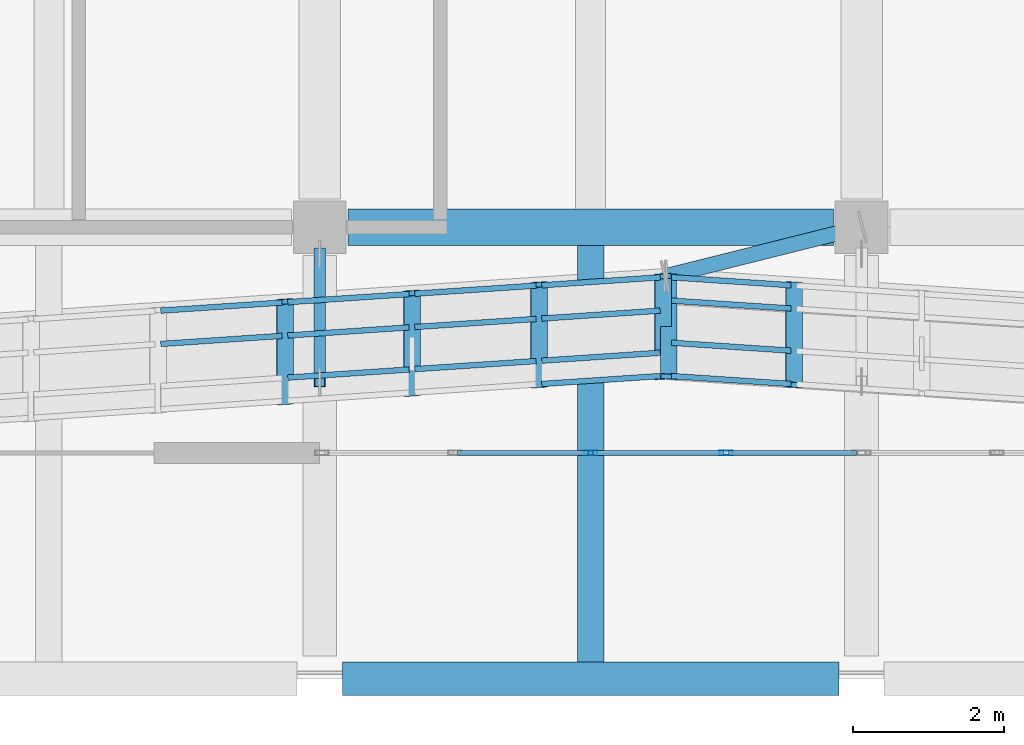
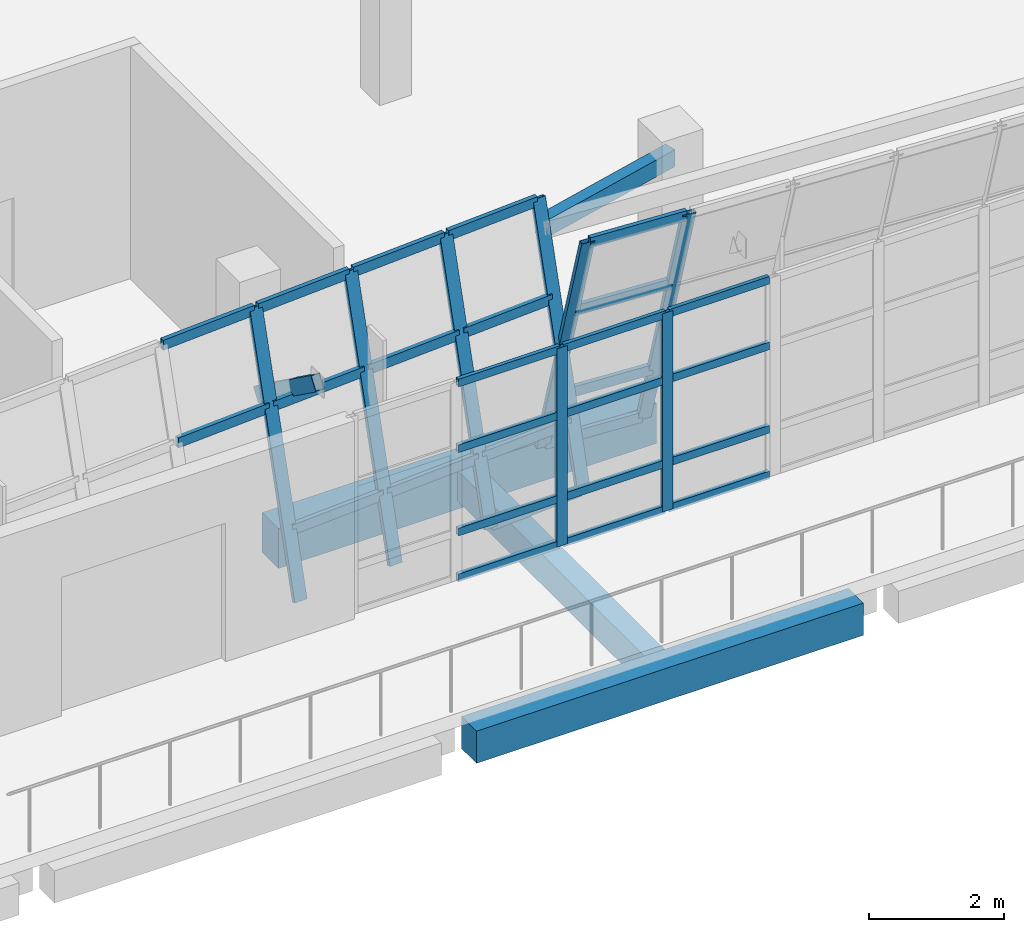
# One storey, part 6 of 67: 37 members, 4 beams, 3 elements without a shape of their own.
"""IFC4 building model written with IfcOpenShell, lengths in metres."""

from ifc_helpers import new_model, si_unit, direction, frame, origin, origin_2d, place, context, subcontext, project, spatial, rectangle, hollow_rectangle, extrude, material, material_profile, profile_set, type_object, element, aggregate, save


model = new_model("IFC4")

# Units and contexts
model_context = context("Model", 3, precision=1e-05, world=origin(), true_north=direction((0.0, 1.0)))
body_context = subcontext(model_context, "Body", "Model", "MODEL_VIEW")
ifc_project = project(units=[si_unit("LENGTHUNIT", "METRE"), si_unit("AREAUNIT", "SQUARE_METRE"), si_unit("VOLUMEUNIT", "CUBIC_METRE"), si_unit("PLANEANGLEUNIT", "RADIAN"), si_unit("MASSUNIT", "GRAM", prefix="KILO")], contexts=[model_context])

# Site, building, storey
site_placement = place(None, origin())
site = spatial("IfcSite", under=ifc_project, at=site_placement, CompositionType="ELEMENT")
building_placement = place(site_placement, origin())
building = spatial("IfcBuilding", under=site, at=building_placement, Name="Pellamere Symphony Hall", CompositionType="ELEMENT")
storey_placement = place(building_placement, frame((0.0, 0.0, 19.5)))
storey = spatial("IfcBuildingStorey", under=building, at=storey_placement, Name="L04", CompositionType="ELEMENT", Elevation=19.5)

# Curtain wall, members
ifc_material_1 = material(Name="Thermally Broken Anodised Aluminium 6063-T6 Curtain Wall", Category="aluminium")
curtain_wall_type_1 = type_object("IfcCurtainWallType", Name="Curtain Wall CW-01 (Tilted Faceted Crystal Low-Iron Curtain Wall)", PredefinedType="NOTDEFINED", material=ifc_material_1)
curtain_wall_1_placement = place(storey_placement, origin())
curtain_wall_1 = element("IfcCurtainWall", 1, at=curtain_wall_1_placement, inside=storey, type_object=curtain_wall_type_1, Name="Crystal Faceted Curtain Wall CW-CR02 (L04)", PredefinedType="NOTDEFINED")
ifc_material_2 = material(Name="Anodised Architectural Aluminium 6063-T6", Category="aluminium")
ifc_material_profile_1 = material_profile(ifc_material_2, hollow_rectangle(XDim=0.074951171875, YDim=0.219970703125, WallThickness=0.0048828125, at=origin_2d()), Name="ALU-M75X220X5")
ifc_profile_set_1 = profile_set([ifc_material_profile_1], Name="Anodised Architectural Aluminium 6063-T6")
member_type_1 = type_object("IfcMemberType", Name="Curtain Wall Mullion ML-01 ALU-M75X220X5", PredefinedType="MULLION", material=ifc_profile_set_1)
member_1_placement = place(storey_placement, frame((72.737548828125, 27.679443359375, 0.0), z_axis=(0.0, 0.284024567884, 0.95881700279), x_axis=(0.066519010519, -0.956693374484, 0.283395498301)))
member_1 = element("IfcMember", 2, at=member_1_placement, type_object=member_type_1, Name="CW1-002 crystal mullion 6", PredefinedType="MULLION", context=body_context, shape_type="SweptSolid", body=[
    extrude(hollow_rectangle(XDim=0.074951171875, YDim=0.219970703125, WallThickness=0.0048828125, at=origin_2d()), origin(), (0.0, 0.0, 1.0), 4.693359375),
])
member_2_placement = place(storey_placement, frame((74.425048828125, 27.7919921875, 0.0), z_axis=(0.0, 0.284024567884, 0.95881700279), x_axis=(0.066519010519, -0.956693374484, 0.283395498301)))
member_2 = element("IfcMember", 3, at=member_2_placement, type_object=member_type_1, Name="CW1-002 crystal mullion 7", PredefinedType="MULLION", context=body_context, shape_type="SweptSolid", body=[
    extrude(hollow_rectangle(XDim=0.074951171875, YDim=0.219970703125, WallThickness=0.0048828125, at=origin_2d()), origin(), (0.0, 0.0, 1.0), 4.693359375),
])
member_3_placement = place(storey_placement, frame((76.112548828125, 27.904541015625, 0.0), z_axis=(0.0, 0.284024567884, 0.95881700279), x_axis=(0.066519010519, -0.956693374484, 0.283395498301)))
member_3 = element("IfcMember", 4, at=member_3_placement, type_object=member_type_1, Name="CW1-002 crystal mullion 8", PredefinedType="MULLION", context=body_context, shape_type="SweptSolid", body=[
    extrude(hollow_rectangle(XDim=0.074951171875, YDim=0.219970703125, WallThickness=0.0048828125, at=origin_2d()), origin(), (0.0, 0.0, 1.0), 4.693359375),
])
member_4_placement = place(storey_placement, frame((77.7626953125, 28.014404296875, 0.0), z_axis=(0.0, 0.284024567884, 0.95881700279), x_axis=(0.066519010519, -0.956693374484, 0.283395498301)))
member_4 = element("IfcMember", 5, at=member_4_placement, type_object=member_type_1, Name="CW1-002 crystal mullion 9", PredefinedType="MULLION", context=body_context, shape_type="SweptSolid", body=[
    extrude(hollow_rectangle(XDim=0.074951171875, YDim=0.219970703125, WallThickness=0.0048828125, at=origin_2d()), origin(), (0.0, 0.0, 1.0), 4.693359375),
])

curtain_wall_2_placement = place(storey_placement, origin())
curtain_wall_2 = element("IfcCurtainWall", 6, at=curtain_wall_2_placement, inside=storey, type_object=curtain_wall_type_1, Name="Crystal Faceted Curtain Wall CW-CR03 (L04)", PredefinedType="NOTDEFINED")
member_5_placement = place(storey_placement, frame((77.83740234375, 29.347412109375, 0.0), z_axis=(0.0, -0.284024567884, 0.95881700279), x_axis=(0.066032040643, 0.956724387709, 0.283404685161)))
member_5 = element("IfcMember", 7, at=member_5_placement, type_object=member_type_1, Name="CW1-003 crystal mullion 1", PredefinedType="MULLION", context=body_context, shape_type="SweptSolid", body=[
    extrude(hollow_rectangle(XDim=0.074951171875, YDim=0.219970703125, WallThickness=0.0048828125, at=origin_2d()), origin(), (0.0, 0.0, 1.0), 4.693359375),
])
member_6_placement = place(storey_placement, frame((79.5, 29.237548828125, 0.0), z_axis=(0.0, -0.284024567884, 0.95881700279), x_axis=(0.066032040643, 0.956724387709, 0.283404685161)))
member_6 = element("IfcMember", 8, at=member_6_placement, type_object=member_type_1, Name="CW1-003 crystal mullion 2", PredefinedType="MULLION", context=body_context, shape_type="SweptSolid", body=[
    extrude(hollow_rectangle(XDim=0.074951171875, YDim=0.219970703125, WallThickness=0.0048828125, at=origin_2d()), origin(), (0.0, 0.0, 1.0), 4.693359375),
])

curtain_wall_type_2 = type_object("IfcCurtainWallType", Name="Curtain Wall CW-06 (Belvedere Terrace Clerestory Curtain Wall)", PredefinedType="NOTDEFINED", material=ifc_material_1)
curtain_wall_3_placement = place(storey_placement, origin())
curtain_wall_3 = element("IfcCurtainWall", 9, at=curtain_wall_3_placement, inside=storey, type_object=curtain_wall_type_2, Name="Winter-Garden South Curtain Wall (L04 Bay 4)", PredefinedType="NOTDEFINED")
ifc_material_profile_2 = material_profile(ifc_material_2, hollow_rectangle(XDim=0.06494140625, YDim=0.179931640625, WallThickness=0.00390625, at=origin_2d()), Name="ALU-M65X180X4")
ifc_profile_set_2 = profile_set([ifc_material_profile_2], Name="Anodised Architectural Aluminium 6063-T6")
member_type_2 = type_object("IfcMemberType", Name="Curtain Wall Mullion ML-02 ALU-M65X180X4", PredefinedType="MULLION", material=ifc_profile_set_2)
member_7_placement = place(storey_placement, frame((76.800048828125, 27.0, 0.0), z_axis=(0.0, 0.0, 1.0), x_axis=(0.0, 1.0, 0.0)))
member_7 = element("IfcMember", 10, at=member_7_placement, type_object=member_type_2, Name="CW2-097 crystal mullion 3", PredefinedType="MULLION", context=body_context, shape_type="SweptSolid", body=[
    extrude(hollow_rectangle(XDim=0.06494140625, YDim=0.179931640625, WallThickness=0.00390625, at=origin_2d()), origin(), (0.0, 0.0, 1.0), 3.577392578125),
])
member_8_placement = place(storey_placement, frame((78.60009765625, 27.0, 0.0), z_axis=(0.0, 0.0, 1.0), x_axis=(0.0, 1.0, 0.0)))
member_8 = element("IfcMember", 11, at=member_8_placement, type_object=member_type_2, Name="CW2-097 crystal mullion 4", PredefinedType="MULLION", context=body_context, shape_type="SweptSolid", body=[
    extrude(hollow_rectangle(XDim=0.06494140625, YDim=0.179931640625, WallThickness=0.00390625, at=origin_2d()), origin(), (0.0, 0.0, 1.0), 3.577392578125),
])

# Member
ifc_material_profile_3 = material_profile(ifc_material_2, hollow_rectangle(XDim=0.074951171875, YDim=0.179931640625, WallThickness=0.0048828125, at=origin_2d()), Name="ALU-T75X180X5")
ifc_profile_set_3 = profile_set([ifc_material_profile_3], Name="Anodised Architectural Aluminium 6063-T6")
member_type_3 = type_object("IfcMemberType", Name="Curtain Wall Transom TR-01 ALU-T75X180X5", PredefinedType="USERDEFINED", material=ifc_profile_set_3)
member_9_placement = place(storey_placement, frame((71.08740234375, 28.44921875, 2.969970703125), z_axis=(0.997779138857, 0.066609234065, 0.0), x_axis=(-0.066609234065, 0.997779138857, 0.0)))
member_9 = element("IfcMember", 12, at=member_9_placement, type_object=member_type_3, Name="CW1-002 crystal transom 5.3", ObjectType="TRANSOM", PredefinedType="USERDEFINED", context=body_context, shape_type="SweptSolid", body=[
    extrude(hollow_rectangle(XDim=0.074951171875, YDim=0.179931640625, WallThickness=0.0048828125, at=origin_2d()), origin(), (0.0, 0.0, 1.0), 1.616455078125),
])

member_10_placement = place(storey_placement, frame((71.08740234375, 28.891845703125, 4.464111328125), z_axis=(0.997789166031, 0.066458860589, 0.0), x_axis=(-0.066458860589, 0.997789166031, 0.0)))
member_10 = element("IfcMember", 13, at=member_10_placement, type_object=member_type_3, Name="CW1-002 crystal transom 5.4", ObjectType="TRANSOM", PredefinedType="USERDEFINED", context=body_context, shape_type="SweptSolid", body=[
    extrude(hollow_rectangle(XDim=0.074951171875, YDim=0.179931640625, WallThickness=0.0048828125, at=origin_2d()), origin(), (0.0, 0.0, 1.0), 1.616455078125),
])

member_11_placement = place(storey_placement, frame((72.77490234375, 28.001953125, 1.080078125), z_axis=(0.997789166031, 0.066458860589, 0.0), x_axis=(-0.066458860589, 0.997789166031, 0.0)))
member_11 = element("IfcMember", 14, at=member_11_placement, type_object=member_type_3, Name="CW1-002 crystal transom 6.2", ObjectType="TRANSOM", PredefinedType="USERDEFINED", context=body_context, shape_type="SweptSolid", body=[
    extrude(hollow_rectangle(XDim=0.074951171875, YDim=0.179931640625, WallThickness=0.0048828125, at=origin_2d()), origin(), (0.0, 0.0, 1.0), 1.616455078125),
])

member_12_placement = place(storey_placement, frame((72.77490234375, 28.561767578125, 2.969970703125), z_axis=(0.997789166031, 0.066458860589, 0.0), x_axis=(-0.066458860589, 0.997789166031, 0.0)))
member_12 = element("IfcMember", 15, at=member_12_placement, type_object=member_type_3, Name="CW1-002 crystal transom 6.3", ObjectType="TRANSOM", PredefinedType="USERDEFINED", context=body_context, shape_type="SweptSolid", body=[
    extrude(hollow_rectangle(XDim=0.074951171875, YDim=0.179931640625, WallThickness=0.0048828125, at=origin_2d()), origin(), (0.0, 0.0, 1.0), 1.616455078125),
])

member_13_placement = place(storey_placement, frame((72.77490234375, 29.00439453125, 4.464111328125), z_axis=(0.997789166031, 0.066458860589, 0.0), x_axis=(-0.066458860589, 0.997789166031, 0.0)))
member_13 = element("IfcMember", 16, at=member_13_placement, type_object=member_type_3, Name="CW1-002 crystal transom 6.4", ObjectType="TRANSOM", PredefinedType="USERDEFINED", context=body_context, shape_type="SweptSolid", body=[
    extrude(hollow_rectangle(XDim=0.074951171875, YDim=0.179931640625, WallThickness=0.0048828125, at=origin_2d()), origin(), (0.0, 0.0, 1.0), 1.616455078125),
])

member_14_placement = place(storey_placement, frame((74.46240234375, 28.114501953125, 1.080078125), z_axis=(0.997789166031, 0.066458860589, 0.0), x_axis=(-0.066458860589, 0.997789166031, 0.0)))
member_14 = element("IfcMember", 17, at=member_14_placement, type_object=member_type_3, Name="CW1-002 crystal transom 7.2", ObjectType="TRANSOM", PredefinedType="USERDEFINED", context=body_context, shape_type="SweptSolid", body=[
    extrude(hollow_rectangle(XDim=0.074951171875, YDim=0.179931640625, WallThickness=0.0048828125, at=origin_2d()), origin(), (0.0, 0.0, 1.0), 1.616455078125),
])

member_15_placement = place(storey_placement, frame((74.46240234375, 28.67431640625, 2.969970703125), z_axis=(0.997789166031, 0.066458860589, 0.0), x_axis=(-0.066458860589, 0.997789166031, 0.0)))
member_15 = element("IfcMember", 18, at=member_15_placement, type_object=member_type_3, Name="CW1-002 crystal transom 7.3", ObjectType="TRANSOM", PredefinedType="USERDEFINED", context=body_context, shape_type="SweptSolid", body=[
    extrude(hollow_rectangle(XDim=0.074951171875, YDim=0.179931640625, WallThickness=0.0048828125, at=origin_2d()), origin(), (0.0, 0.0, 1.0), 1.616455078125),
])

member_16_placement = place(storey_placement, frame((74.46240234375, 29.116943359375, 4.464111328125), z_axis=(0.997789166031, 0.066458860589, 0.0), x_axis=(-0.066458860589, 0.997789166031, 0.0)))
member_16 = element("IfcMember", 19, at=member_16_placement, type_object=member_type_3, Name="CW1-002 crystal transom 7.4", ObjectType="TRANSOM", PredefinedType="USERDEFINED", context=body_context, shape_type="SweptSolid", body=[
    extrude(hollow_rectangle(XDim=0.074951171875, YDim=0.179931640625, WallThickness=0.0048828125, at=origin_2d()), origin(), (0.0, 0.0, 1.0), 1.616455078125),
])

member_17_placement = place(storey_placement, frame((76.14990234375, 27.917724609375, 0.035888671875), z_axis=(0.997786526209, 0.066498482063, 0.0), x_axis=(-0.066498482063, 0.997786526209, 0.0)))
member_17 = element("IfcMember", 20, at=member_17_placement, type_object=member_type_3, Name="CW1-002 crystal transom 8.1", ObjectType="TRANSOM", PredefinedType="USERDEFINED", context=body_context, shape_type="SweptSolid", body=[
    extrude(hollow_rectangle(XDim=0.074951171875, YDim=0.179931640625, WallThickness=0.0048828125, at=origin_2d()), origin(), (0.0, 0.0, 1.0), 1.57861328125),
])

member_18_placement = place(storey_placement, frame((76.14990234375, 28.226806640625, 1.080078125), z_axis=(0.997776253366, 0.06665244346, 0.0), x_axis=(-0.06665244346, 0.997776253366, 0.0)))
member_18 = element("IfcMember", 21, at=member_18_placement, type_object=member_type_3, Name="CW1-002 crystal transom 8.2", ObjectType="TRANSOM", PredefinedType="USERDEFINED", context=body_context, shape_type="SweptSolid", body=[
    extrude(hollow_rectangle(XDim=0.074951171875, YDim=0.179931640625, WallThickness=0.0048828125, at=origin_2d()), origin(), (0.0, 0.0, 1.0), 1.57861328125),
])

member_19_placement = place(storey_placement, frame((76.14990234375, 28.786865234375, 2.969970703125), z_axis=(0.997786526209, 0.066498482063, 0.0), x_axis=(-0.066498482063, 0.997786526209, 0.0)))
member_19 = element("IfcMember", 22, at=member_19_placement, type_object=member_type_3, Name="CW1-002 crystal transom 8.3", ObjectType="TRANSOM", PredefinedType="USERDEFINED", context=body_context, shape_type="SweptSolid", body=[
    extrude(hollow_rectangle(XDim=0.074951171875, YDim=0.179931640625, WallThickness=0.0048828125, at=origin_2d()), origin(), (0.0, 0.0, 1.0), 1.57861328125),
])

member_20_placement = place(storey_placement, frame((76.14990234375, 29.229248046875, 4.464111328125), z_axis=(0.997776253366, 0.06665244346, 0.0), x_axis=(-0.06665244346, 0.997776253366, 0.0)))
member_20 = element("IfcMember", 23, at=member_20_placement, type_object=member_type_3, Name="CW1-002 crystal transom 8.4", ObjectType="TRANSOM", PredefinedType="USERDEFINED", context=body_context, shape_type="SweptSolid", body=[
    extrude(hollow_rectangle(XDim=0.074951171875, YDim=0.179931640625, WallThickness=0.0048828125, at=origin_2d()), origin(), (0.0, 0.0, 1.0), 1.57861328125),
])

aggregate(curtain_wall_1, [member_1, member_2, member_3, member_4, member_9, member_10, member_11, member_12, member_13, member_14, member_15, member_16, member_17, member_18, member_19, member_20])

member_21_placement = place(storey_placement, frame((77.874755859375, 29.33447265625, 0.035888671875), z_axis=(0.997811553112, -0.06612189105, 0.0), x_axis=(0.06612189105, 0.997811553112, 0.0)))
member_21 = element("IfcMember", 24, at=member_21_placement, type_object=member_type_3, Name="CW1-003 crystal transom 1.1", ObjectType="TRANSOM", PredefinedType="USERDEFINED", context=body_context, shape_type="SweptSolid", body=[
    extrude(hollow_rectangle(XDim=0.074951171875, YDim=0.179931640625, WallThickness=0.0048828125, at=origin_2d()), origin(), (0.0, 0.0, 1.0), 1.59130859375),
])

member_22_placement = place(storey_placement, frame((77.874755859375, 29.025146484375, 1.080078125), z_axis=(0.997821663418, -0.065969144414, 0.0), x_axis=(0.065969144414, 0.997821663418, 0.0)))
member_22 = element("IfcMember", 25, at=member_22_placement, type_object=member_type_3, Name="CW1-003 crystal transom 1.2", ObjectType="TRANSOM", PredefinedType="USERDEFINED", context=body_context, shape_type="SweptSolid", body=[
    extrude(hollow_rectangle(XDim=0.074951171875, YDim=0.179931640625, WallThickness=0.0048828125, at=origin_2d()), origin(), (0.0, 0.0, 1.0), 1.59130859375),
])

member_23_placement = place(storey_placement, frame((77.874755859375, 28.46533203125, 2.969970703125), z_axis=(0.997811553112, -0.06612189105, 0.0), x_axis=(0.06612189105, 0.997811553112, 0.0)))
member_23 = element("IfcMember", 26, at=member_23_placement, type_object=member_type_3, Name="CW1-003 crystal transom 1.3", ObjectType="TRANSOM", PredefinedType="USERDEFINED", context=body_context, shape_type="SweptSolid", body=[
    extrude(hollow_rectangle(XDim=0.074951171875, YDim=0.179931640625, WallThickness=0.0048828125, at=origin_2d()), origin(), (0.0, 0.0, 1.0), 1.59130859375),
])

member_24_placement = place(storey_placement, frame((77.874755859375, 28.022705078125, 4.464111328125), z_axis=(0.997821663418, -0.065969144414, 0.0), x_axis=(0.065969144414, 0.997821663418, 0.0)))
member_24 = element("IfcMember", 27, at=member_24_placement, type_object=member_type_3, Name="CW1-003 crystal transom 1.4", ObjectType="TRANSOM", PredefinedType="USERDEFINED", context=body_context, shape_type="SweptSolid", body=[
    extrude(hollow_rectangle(XDim=0.074951171875, YDim=0.179931640625, WallThickness=0.0048828125, at=origin_2d()), origin(), (0.0, 0.0, 1.0), 1.59130859375),
])

aggregate(curtain_wall_2, [member_5, member_6, member_21, member_22, member_23, member_24])

ifc_material_profile_4 = material_profile(ifc_material_2, hollow_rectangle(XDim=0.06494140625, YDim=0.139892578125, WallThickness=0.00390625, at=origin_2d()), Name="ALU-T65X140X4")
ifc_profile_set_4 = profile_set([ifc_material_profile_4], Name="Anodised Architectural Aluminium 6063-T6")
member_type_4 = type_object("IfcMemberType", Name="Curtain Wall Transom TR-02 ALU-T65X140X4", PredefinedType="USERDEFINED", material=ifc_profile_set_4)
member_25_placement = place(storey_placement, frame((75.032470703125, 27.0, 0.032470703125), z_axis=(1.0, 0.0, 0.0), x_axis=(0.0, 1.0, 0.0)))
member_25 = element("IfcMember", 28, at=member_25_placement, type_object=member_type_4, Name="CW2-097 crystal transom 2.1", ObjectType="TRANSOM", PredefinedType="USERDEFINED", context=body_context, shape_type="SweptSolid", body=[
    extrude(hollow_rectangle(XDim=0.06494140625, YDim=0.139892578125, WallThickness=0.00390625, at=origin_2d()), origin(), (0.0, 0.0, 1.0), 1.735107421875),
])

member_26_placement = place(storey_placement, frame((75.032470703125, 27.0, 0.858642578125), z_axis=(1.0, 0.0, 0.0), x_axis=(0.0, 1.0, 0.0)))
member_26 = element("IfcMember", 29, at=member_26_placement, type_object=member_type_4, Name="CW2-097 crystal transom 2.2", ObjectType="TRANSOM", PredefinedType="USERDEFINED", context=body_context, shape_type="SweptSolid", body=[
    extrude(hollow_rectangle(XDim=0.06494140625, YDim=0.139892578125, WallThickness=0.00390625, at=origin_2d()), origin(), (0.0, 0.0, 1.0), 1.735107421875),
])

member_27_placement = place(storey_placement, frame((75.032470703125, 27.0, 2.361083984375), z_axis=(1.0, 0.0, 0.0), x_axis=(0.0, 1.0, 0.0)))
member_27 = element("IfcMember", 30, at=member_27_placement, type_object=member_type_4, Name="CW2-097 crystal transom 2.3", ObjectType="TRANSOM", PredefinedType="USERDEFINED", context=body_context, shape_type="SweptSolid", body=[
    extrude(hollow_rectangle(XDim=0.06494140625, YDim=0.139892578125, WallThickness=0.00390625, at=origin_2d()), origin(), (0.0, 0.0, 1.0), 1.735107421875),
])

member_28_placement = place(storey_placement, frame((75.032470703125, 27.0, 3.544921875), z_axis=(1.0, 0.0, 0.0), x_axis=(0.0, 1.0, 0.0)))
member_28 = element("IfcMember", 31, at=member_28_placement, type_object=member_type_4, Name="CW2-097 crystal transom 2.4", ObjectType="TRANSOM", PredefinedType="USERDEFINED", context=body_context, shape_type="SweptSolid", body=[
    extrude(hollow_rectangle(XDim=0.06494140625, YDim=0.139892578125, WallThickness=0.00390625, at=origin_2d()), origin(), (0.0, 0.0, 1.0), 1.735107421875),
])

member_29_placement = place(storey_placement, frame((76.83251953125, 27.0, 0.032470703125), z_axis=(1.0, 0.0, 0.0), x_axis=(0.0, 1.0, 0.0)))
member_29 = element("IfcMember", 32, at=member_29_placement, type_object=member_type_4, Name="CW2-097 crystal transom 3.1", ObjectType="TRANSOM", PredefinedType="USERDEFINED", context=body_context, shape_type="SweptSolid", body=[
    extrude(hollow_rectangle(XDim=0.06494140625, YDim=0.139892578125, WallThickness=0.00390625, at=origin_2d()), origin(), (0.0, 0.0, 1.0), 1.73486328125),
])

member_30_placement = place(storey_placement, frame((76.83251953125, 27.0, 0.858642578125), z_axis=(1.0, 0.0, 0.0), x_axis=(0.0, 1.0, 0.0)))
member_30 = element("IfcMember", 33, at=member_30_placement, type_object=member_type_4, Name="CW2-097 crystal transom 3.2", ObjectType="TRANSOM", PredefinedType="USERDEFINED", context=body_context, shape_type="SweptSolid", body=[
    extrude(hollow_rectangle(XDim=0.06494140625, YDim=0.139892578125, WallThickness=0.00390625, at=origin_2d()), origin(), (0.0, 0.0, 1.0), 1.73486328125),
])

member_31_placement = place(storey_placement, frame((76.83251953125, 27.0, 2.361083984375), z_axis=(1.0, 0.0, 0.0), x_axis=(0.0, 1.0, 0.0)))
member_31 = element("IfcMember", 34, at=member_31_placement, type_object=member_type_4, Name="CW2-097 crystal transom 3.3", ObjectType="TRANSOM", PredefinedType="USERDEFINED", context=body_context, shape_type="SweptSolid", body=[
    extrude(hollow_rectangle(XDim=0.06494140625, YDim=0.139892578125, WallThickness=0.00390625, at=origin_2d()), origin(), (0.0, 0.0, 1.0), 1.73486328125),
])

member_32_placement = place(storey_placement, frame((76.83251953125, 27.0, 3.544921875), z_axis=(1.0, 0.0, 0.0), x_axis=(0.0, 1.0, 0.0)))
member_32 = element("IfcMember", 35, at=member_32_placement, type_object=member_type_4, Name="CW2-097 crystal transom 3.4", ObjectType="TRANSOM", PredefinedType="USERDEFINED", context=body_context, shape_type="SweptSolid", body=[
    extrude(hollow_rectangle(XDim=0.06494140625, YDim=0.139892578125, WallThickness=0.00390625, at=origin_2d()), origin(), (0.0, 0.0, 1.0), 1.73486328125),
])

member_33_placement = place(storey_placement, frame((78.632568359375, 27.0, 0.032470703125), z_axis=(1.0, 0.0, 0.0), x_axis=(0.0, 1.0, 0.0)))
member_33 = element("IfcMember", 36, at=member_33_placement, type_object=member_type_4, Name="CW2-097 crystal transom 4.1", ObjectType="TRANSOM", PredefinedType="USERDEFINED", context=body_context, shape_type="SweptSolid", body=[
    extrude(hollow_rectangle(XDim=0.06494140625, YDim=0.139892578125, WallThickness=0.00390625, at=origin_2d()), origin(), (0.0, 0.0, 1.0), 1.702392578125),
])

member_34_placement = place(storey_placement, frame((78.632568359375, 27.0, 0.858642578125), z_axis=(1.0, 0.0, 0.0), x_axis=(0.0, 1.0, 0.0)))
member_34 = element("IfcMember", 37, at=member_34_placement, type_object=member_type_4, Name="CW2-097 crystal transom 4.2", ObjectType="TRANSOM", PredefinedType="USERDEFINED", context=body_context, shape_type="SweptSolid", body=[
    extrude(hollow_rectangle(XDim=0.06494140625, YDim=0.139892578125, WallThickness=0.00390625, at=origin_2d()), origin(), (0.0, 0.0, 1.0), 1.702392578125),
])

member_35_placement = place(storey_placement, frame((78.632568359375, 27.0, 2.361083984375), z_axis=(1.0, 0.0, 0.0), x_axis=(0.0, 1.0, 0.0)))
member_35 = element("IfcMember", 38, at=member_35_placement, type_object=member_type_4, Name="CW2-097 crystal transom 4.3", ObjectType="TRANSOM", PredefinedType="USERDEFINED", context=body_context, shape_type="SweptSolid", body=[
    extrude(hollow_rectangle(XDim=0.06494140625, YDim=0.139892578125, WallThickness=0.00390625, at=origin_2d()), origin(), (0.0, 0.0, 1.0), 1.702392578125),
])

member_36_placement = place(storey_placement, frame((78.632568359375, 27.0, 3.544921875), z_axis=(1.0, 0.0, 0.0), x_axis=(0.0, 1.0, 0.0)))
member_36 = element("IfcMember", 39, at=member_36_placement, type_object=member_type_4, Name="CW2-097 crystal transom 4.4", ObjectType="TRANSOM", PredefinedType="USERDEFINED", context=body_context, shape_type="SweptSolid", body=[
    extrude(hollow_rectangle(XDim=0.06494140625, YDim=0.139892578125, WallThickness=0.00390625, at=origin_2d()), origin(), (0.0, 0.0, 1.0), 1.702392578125),
])

aggregate(curtain_wall_3, [member_7, member_8, member_25, member_26, member_27, member_28, member_29, member_30, member_31, member_32, member_33, member_34, member_35, member_36])

# Beams
ifc_material_3 = material(Name="Concrete 35 MPa", Category="concrete")
ifc_material_profile_5 = material_profile(ifc_material_3, rectangle(XDim=0.35009765625, YDim=0.550048828125, at=origin_2d()), Name="RC 350x550")
ifc_profile_set_5 = profile_set([ifc_material_profile_5], Name="Concrete 35 MPa")
beam_type_1 = type_object("IfcBeamType", Name="RC CB-10 350x550", PredefinedType="BEAM", material=ifc_profile_set_5)
beam_1_placement = place(storey_placement, frame((76.800048828125, 24.219970703125, -0.550048828125), z_axis=(0.0, 1.0, 0.0), x_axis=(-1.0, 0.0, 0.0)))
element("IfcBeam", 40, at=beam_1_placement, inside=storey, type_object=beam_type_1, Name="Secondary Floor Beam CB-10-M0903 (L04)", PredefinedType="BEAM", context=body_context, shape_type="SweptSolid", body=[
    extrude(rectangle(XDim=0.35009765625, YDim=0.550048828125, at=origin_2d()), origin(), (0.0, 0.0, 1.0), 5.5400390625),
])
ifc_material_4 = material(Name="Concrete 40 MPa", Category="concrete")
ifc_material_profile_6 = material_profile(ifc_material_4, rectangle(XDim=0.47998046875, YDim=0.719970703125, at=origin_2d()), Name="RC 480x720")
ifc_profile_set_6 = profile_set([ifc_material_profile_6], Name="Concrete 40 MPa")
beam_type_2 = type_object("IfcBeamType", Name="RC CB-14 480x720", PredefinedType="SPANDREL", material=ifc_profile_set_6)
beam_2_placement = place(storey_placement, frame((73.574951171875, 30.0, -0.6201171875), z_axis=(1.0, 0.0, 0.0), x_axis=(0.0, 1.0, 0.0)))
element("IfcBeam", 41, at=beam_2_placement, inside=storey, type_object=beam_type_2, Name="Girder CB-14-X1806 (L04)", PredefinedType="SPANDREL", context=body_context, shape_type="SweptSolid", body=[
    extrude(rectangle(XDim=0.47998046875, YDim=0.719970703125, at=origin_2d()), origin(), (0.0, 0.0, 1.0), 6.449951171875),
])
ifc_material_profile_7 = material_profile(ifc_material_4, rectangle(XDim=0.43994140625, YDim=0.580078125, at=origin_2d()), Name="RC 440x580")
ifc_profile_set_7 = profile_set([ifc_material_profile_7], Name="Concrete 40 MPa")
beam_type_3 = type_object("IfcBeamType", Name="RC CB-20 440x580", PredefinedType="BEAM", material=ifc_profile_set_7)
beam_3_placement = place(storey_placement, frame((73.5, 24.0, -0.550048828125), z_axis=(1.0, 0.0, 0.0), x_axis=(0.0, 1.0, 0.0)))
element("IfcBeam", 42, at=beam_3_placement, inside=storey, type_object=beam_type_3, Name="Girder CB-20-X1796 (L04)", PredefinedType="BEAM", context=body_context, shape_type="SweptSolid", body=[
    extrude(rectangle(XDim=0.43994140625, YDim=0.580078125, at=origin_2d()), origin(), (0.0, 0.0, 1.0), 6.60009765625),
])

# Member
ifc_material_5 = material(Name="Steel CSA G40.21 350W", Category="steel")
ifc_material_profile_8 = material_profile(ifc_material_5, hollow_rectangle(XDim=0.15234375, YDim=0.25390625, WallThickness=0.010986328125, at=origin_2d()), Name="HSS254X152X11")
ifc_profile_set_8 = profile_set([ifc_material_profile_8], Name="Steel CSA G40.21 350W")
member_type_5 = type_object("IfcMemberType", Name="Steel Member SM-07 HSS254X152X11", PredefinedType="STRUT", material=ifc_profile_set_8)
member_37_placement = place(storey_placement, frame((73.199951171875, 29.64990234375, 2.3798828125), z_axis=(0.0, -0.810117421181, 0.586267655512), x_axis=(1.0, 0.0, 0.0)))
element("IfcMember", 43, at=member_37_placement, inside=storey, type_object=member_type_5, Name="Winter-Garden Canopy Knee Strut 03", PredefinedType="STRUT", context=body_context, shape_type="SweptSolid", body=[
    extrude(hollow_rectangle(XDim=0.15234375, YDim=0.25390625, WallThickness=0.010986328125, at=origin_2d()), origin(), (0.0, 0.0, 1.0), 2.098388671875),
])

# Beam
ifc_material_profile_9 = material_profile(ifc_material_5, hollow_rectangle(XDim=0.203125, YDim=0.3046875, WallThickness=0.0126953125, at=origin_2d()), Name="HSS305X203X13")
ifc_profile_set_9 = profile_set([ifc_material_profile_9], Name="Steel CSA G40.21 350W")
beam_type_4 = type_object("IfcBeamType", Name="Steel Spandrel SB-26 HSS305X203X13", PredefinedType="SPANDREL", material=ifc_profile_set_9)
beam_4_placement = place(storey_placement, frame((80.39990234375, 30.0, 3.93994140625), z_axis=(-0.970147858864, -0.242514189154, 0.0), x_axis=(0.242514189154, -0.970147858864, 0.0)))
element("IfcBeam", 44, at=beam_4_placement, inside=storey, type_object=beam_type_4, Name="Crystal Ring Outrigger Bracket 005 (L04)", PredefinedType="SPANDREL", context=body_context, shape_type="SweptSolid", body=[
    extrude(hollow_rectangle(XDim=0.203125, YDim=0.3046875, WallThickness=0.0126953125, at=origin_2d()), origin(), (0.0, 0.0, 1.0), 2.679931640625),
])

save(model, "model.ifc")
